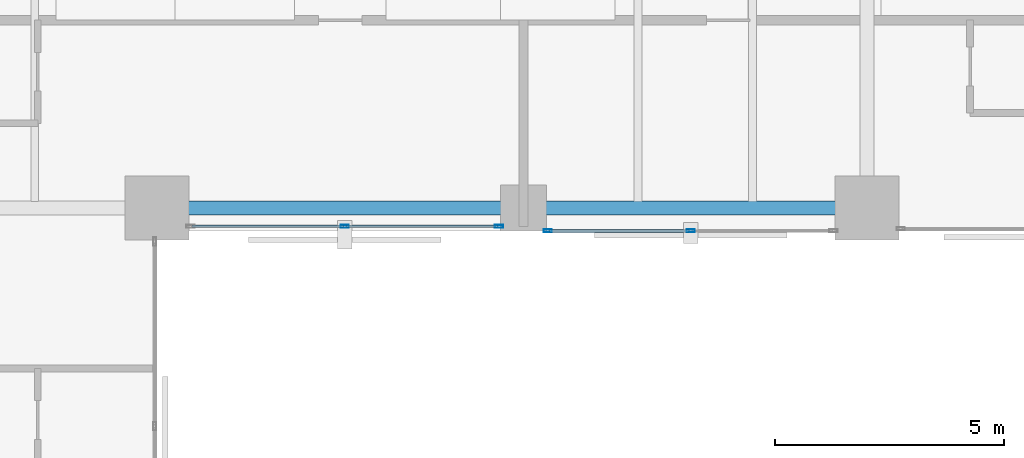
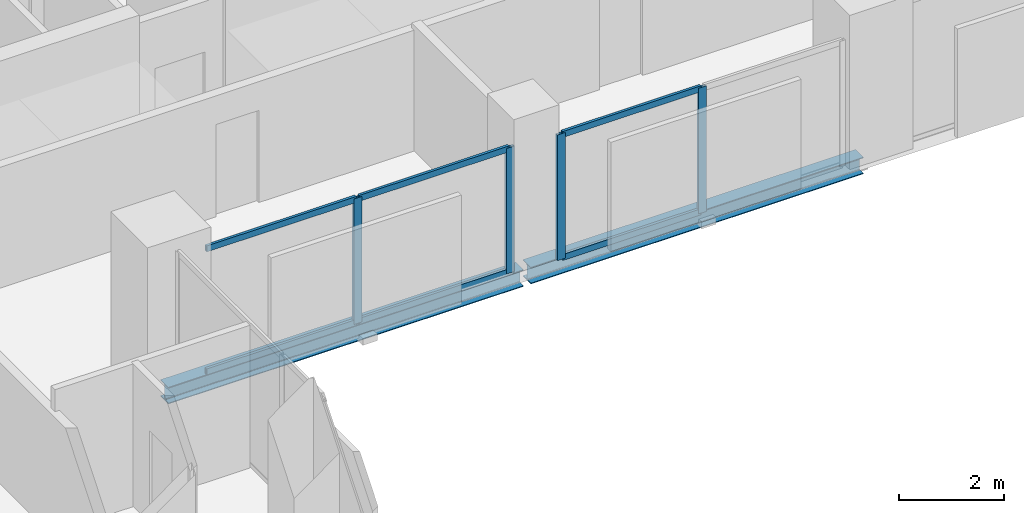
# One storey, part 13 of 31: 10 members, 2 beams, 2 elements without a shape of their own.
"""IFC4 building model written with IfcOpenShell, lengths in metres."""

from ifc_helpers import new_model, si_unit, direction, frame, origin, origin_2d, place, context, subcontext, project, spatial, hollow_rectangle, i_section, extrude, material, layer, layer_set, material_profile, profile_set, type_object, element, aggregate, save


model = new_model("IFC4")

# Units and contexts
model_context = context("Model", 3, precision=1e-05, world=origin(), true_north=direction((0.0, 1.0)))
body_context = subcontext(model_context, "Body", "Model", "MODEL_VIEW")
ifc_project = project(units=[si_unit("LENGTHUNIT", "METRE"), si_unit("AREAUNIT", "SQUARE_METRE"), si_unit("VOLUMEUNIT", "CUBIC_METRE"), si_unit("PLANEANGLEUNIT", "RADIAN"), si_unit("MASSUNIT", "GRAM", prefix="KILO")], contexts=[model_context])

# Site, building, storey
site_placement = place(None, origin())
site = spatial("IfcSite", under=ifc_project, at=site_placement, CompositionType="ELEMENT")
building_placement = place(site_placement, origin())
building = spatial("IfcBuilding", under=site, at=building_placement, Name="Catumbela Crestline Tower", CompositionType="ELEMENT")
storey_placement = place(building_placement, frame((0.0, 0.0, 40.2)))
storey = spatial("IfcBuildingStorey", under=building, at=storey_placement, Name="L09", CompositionType="ELEMENT", Elevation=40.2)

# Curtain wall, members
ifc_material_1 = material(Name="Aluminium alloy AW-6060-T66", Category="aluminium")
ifc_layer = layer(ifc_material_1, 0.18, Name="Aluminium alloy AW-6060-T66")
ifc_layer_set = layer_set([ifc_layer], Name="Aluminium alloy AW-6060-T66")
curtain_wall_type = type_object("IfcCurtainWallType", Name="CWU-Z1", PredefinedType="USERDEFINED", material=ifc_layer_set)
curtain_wall_1_placement = place(storey_placement, origin())
curtain_wall_1 = element("IfcCurtainWall", 1, at=curtain_wall_1_placement, inside=storey, type_object=curtain_wall_type, Name="L09 Unitised Curtain Wall CW-L09-E3S1", ObjectType="UNITISED", PredefinedType="USERDEFINED")
ifc_material_profile_1 = material_profile(ifc_material_1, hollow_rectangle(XDim=0.065, YDim=0.18, WallThickness=0.004, at=origin_2d()), Name="ALU 180x65x4")
ifc_profile_set_1 = profile_set([ifc_material_profile_1], Name="Aluminium alloy AW-6060-T66")
member_type_1 = type_object("IfcMemberType", Name="MUL-180X65", PredefinedType="MULLION", material=ifc_profile_set_1)
member_1_placement = place(storey_placement, frame((28.1, 24.1, 0.0), z_axis=(0.0, 0.0, 1.0), x_axis=(0.0, 1.0, 0.0)))
member_1 = element("IfcMember", 2, at=member_1_placement, type_object=member_type_1, Name="CWU-Z1 mullion 2", PredefinedType="MULLION", context=body_context, shape_type="SweptSolid", body=[
    extrude(hollow_rectangle(XDim=0.065, YDim=0.18, WallThickness=0.004, at=origin_2d()), origin(), (0.0, 0.0, 1.0), 2.93),
])
member_2_placement = place(storey_placement, frame((31.4675, 24.1, 0.0), z_axis=(0.0, 0.0, 1.0), x_axis=(0.0, 1.0, 0.0)))
member_2 = element("IfcMember", 3, at=member_2_placement, type_object=member_type_1, Name="CWU-Z1 mullion 3", PredefinedType="MULLION", context=body_context, shape_type="SweptSolid", body=[
    extrude(hollow_rectangle(XDim=0.065, YDim=0.18, WallThickness=0.004, at=origin_2d()), origin(), (0.0, 0.0, 1.0), 2.93),
])

curtain_wall_2_placement = place(storey_placement, origin())
curtain_wall_2 = element("IfcCurtainWall", 4, at=curtain_wall_2_placement, inside=storey, type_object=curtain_wall_type, Name="L09 Unitised Curtain Wall CW-L09-E3S2", ObjectType="UNITISED", PredefinedType="USERDEFINED")
member_3_placement = place(storey_placement, frame((32.5325, 24.0, 0.0), z_axis=(0.0, 0.0, 1.0), x_axis=(0.0, 1.0, 0.0)))
member_3 = element("IfcMember", 5, at=member_3_placement, type_object=member_type_1, Name="CWU-Z1 mullion 1", PredefinedType="MULLION", context=body_context, shape_type="SweptSolid", body=[
    extrude(hollow_rectangle(XDim=0.065, YDim=0.18, WallThickness=0.004, at=origin_2d()), origin(), (0.0, 0.0, 1.0), 2.93),
])
member_4_placement = place(storey_placement, frame((35.65, 24.0, 0.0), z_axis=(0.0, 0.0, 1.0), x_axis=(0.0, 1.0, 0.0)))
member_4 = element("IfcMember", 6, at=member_4_placement, type_object=member_type_1, Name="CWU-Z1 mullion 2", PredefinedType="MULLION", context=body_context, shape_type="SweptSolid", body=[
    extrude(hollow_rectangle(XDim=0.065, YDim=0.18, WallThickness=0.004, at=origin_2d()), origin(), (0.0, 0.0, 1.0), 2.93),
])

# Beams
ifc_material_2 = material(Name="Structural steel S355J2", Category="steel")
ifc_material_profile_2 = material_profile(ifc_material_2, i_section(OverallWidth=0.3, OverallDepth=0.39, WebThickness=0.011, FlangeThickness=0.019, FilletRadius=0.027, at=origin_2d()), Name="HEA 400")
ifc_profile_set_2 = profile_set([ifc_material_profile_2], Name="Structural steel S355J2")
beam_type = type_object("IfcBeamType", Name="BS-HEA400", PredefinedType="SPANDREL", material=ifc_profile_set_2)
beam_1_placement = place(storey_placement, frame((24.08, 24.5, -0.455), z_axis=(1.0, 0.0, 0.0), x_axis=(0.0, 1.0, 0.0)))
element("IfcBeam", 7, at=beam_1_placement, inside=storey, type_object=beam_type, Name="L09 Spandrel SP-L09-S05", PredefinedType="SPANDREL", context=body_context, shape_type="SweptSolid", body=[
    extrude(i_section(OverallWidth=0.3, OverallDepth=0.39, WebThickness=0.011, FlangeThickness=0.019, FilletRadius=0.027, at=origin_2d()), origin(), (0.0, 0.0, 1.0), 7.84),
])
beam_2_placement = place(storey_placement, frame((32.08, 24.5, -0.455), z_axis=(1.0, 0.0, 0.0), x_axis=(0.0, 1.0, 0.0)))
element("IfcBeam", 8, at=beam_2_placement, inside=storey, type_object=beam_type, Name="L09 Spandrel SP-L09-S06", PredefinedType="SPANDREL", context=body_context, shape_type="SweptSolid", body=[
    extrude(i_section(OverallWidth=0.3, OverallDepth=0.39, WebThickness=0.011, FlangeThickness=0.019, FilletRadius=0.027, at=origin_2d()), origin(), (0.0, 0.0, 1.0), 7.34),
])

# Member
ifc_material_profile_3 = material_profile(ifc_material_1, hollow_rectangle(XDim=0.06, YDim=0.14, WallThickness=0.004, at=origin_2d()), Name="ALU 140x60x4")
ifc_profile_set_3 = profile_set([ifc_material_profile_3], Name="Aluminium alloy AW-6060-T66")
member_type_2 = type_object("IfcMemberType", Name="TRN-140X60", PredefinedType="USERDEFINED", material=ifc_profile_set_3)
member_5_placement = place(storey_placement, frame((24.765, 24.1, 0.03), z_axis=(1.0, 0.0, 0.0), x_axis=(0.0, 1.0, 0.0)))
member_5 = element("IfcMember", 9, at=member_5_placement, type_object=member_type_2, Name="CWU-Z1 transom 1.1", ObjectType="TRANSOM", PredefinedType="USERDEFINED", context=body_context, shape_type="SweptSolid", body=[
    extrude(hollow_rectangle(XDim=0.06, YDim=0.14, WallThickness=0.004, at=origin_2d()), origin(), (0.0, 0.0, 1.0), 3.3025),
])

member_6_placement = place(storey_placement, frame((24.765, 24.1, 2.9), z_axis=(1.0, 0.0, 0.0), x_axis=(0.0, 1.0, 0.0)))
member_6 = element("IfcMember", 10, at=member_6_placement, type_object=member_type_2, Name="CWU-Z1 transom 1.2", ObjectType="TRANSOM", PredefinedType="USERDEFINED", context=body_context, shape_type="SweptSolid", body=[
    extrude(hollow_rectangle(XDim=0.06, YDim=0.14, WallThickness=0.004, at=origin_2d()), origin(), (0.0, 0.0, 1.0), 3.3025),
])

member_7_placement = place(storey_placement, frame((28.1325, 24.1, 0.03), z_axis=(1.0, 0.0, 0.0), x_axis=(0.0, 1.0, 0.0)))
member_7 = element("IfcMember", 11, at=member_7_placement, type_object=member_type_2, Name="CWU-Z1 transom 2.1", ObjectType="TRANSOM", PredefinedType="USERDEFINED", context=body_context, shape_type="SweptSolid", body=[
    extrude(hollow_rectangle(XDim=0.06, YDim=0.14, WallThickness=0.004, at=origin_2d()), origin(), (0.0, 0.0, 1.0), 3.3025),
])

member_8_placement = place(storey_placement, frame((28.1325, 24.1, 2.9), z_axis=(1.0, 0.0, 0.0), x_axis=(0.0, 1.0, 0.0)))
member_8 = element("IfcMember", 12, at=member_8_placement, type_object=member_type_2, Name="CWU-Z1 transom 2.2", ObjectType="TRANSOM", PredefinedType="USERDEFINED", context=body_context, shape_type="SweptSolid", body=[
    extrude(hollow_rectangle(XDim=0.06, YDim=0.14, WallThickness=0.004, at=origin_2d()), origin(), (0.0, 0.0, 1.0), 3.3025),
])

aggregate(curtain_wall_1, [member_1, member_2, member_5, member_6, member_7, member_8])

member_9_placement = place(storey_placement, frame((32.565, 24.0, 0.03), z_axis=(1.0, 0.0, 0.0), x_axis=(0.0, 1.0, 0.0)))
member_9 = element("IfcMember", 13, at=member_9_placement, type_object=member_type_2, Name="CWU-Z1 transom 1.1", ObjectType="TRANSOM", PredefinedType="USERDEFINED", context=body_context, shape_type="SweptSolid", body=[
    extrude(hollow_rectangle(XDim=0.06, YDim=0.14, WallThickness=0.004, at=origin_2d()), origin(), (0.0, 0.0, 1.0), 3.0525),
])

member_10_placement = place(storey_placement, frame((32.565, 24.0, 2.9), z_axis=(1.0, 0.0, 0.0), x_axis=(0.0, 1.0, 0.0)))
member_10 = element("IfcMember", 14, at=member_10_placement, type_object=member_type_2, Name="CWU-Z1 transom 1.2", ObjectType="TRANSOM", PredefinedType="USERDEFINED", context=body_context, shape_type="SweptSolid", body=[
    extrude(hollow_rectangle(XDim=0.06, YDim=0.14, WallThickness=0.004, at=origin_2d()), origin(), (0.0, 0.0, 1.0), 3.0525),
])

aggregate(curtain_wall_2, [member_3, member_4, member_9, member_10])

save(model, "model.ifc")
